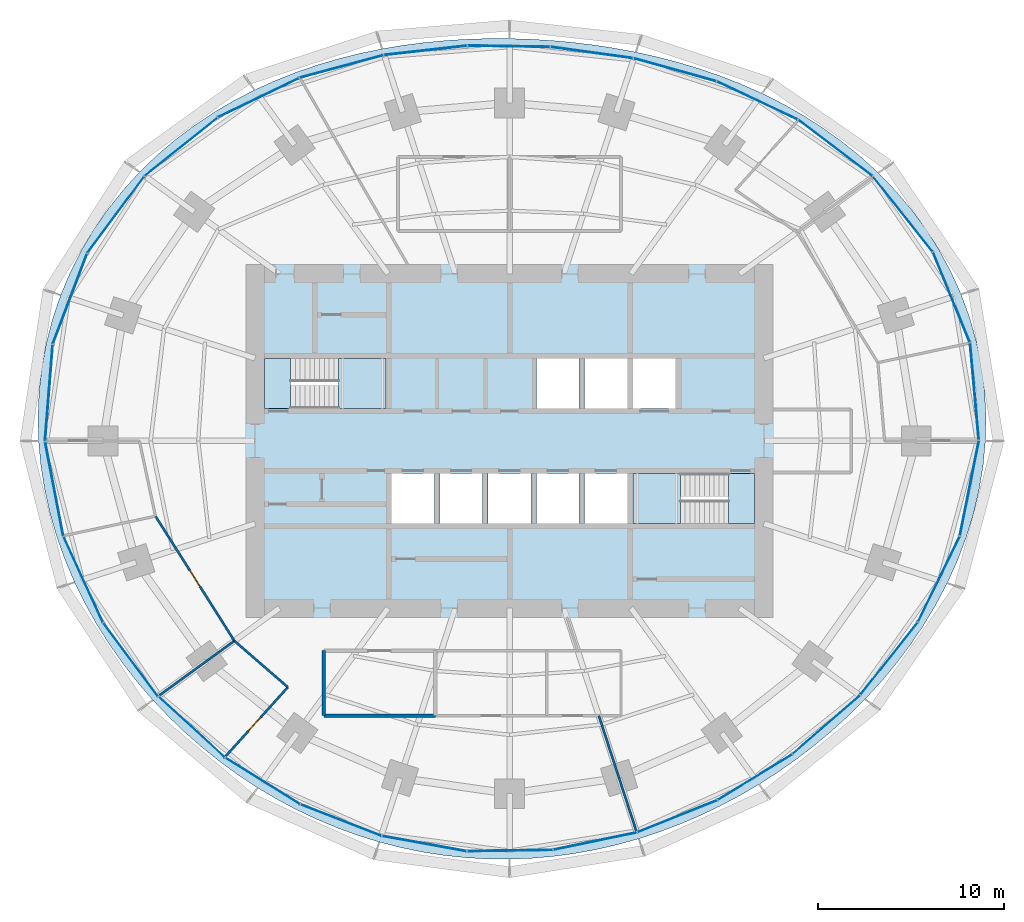
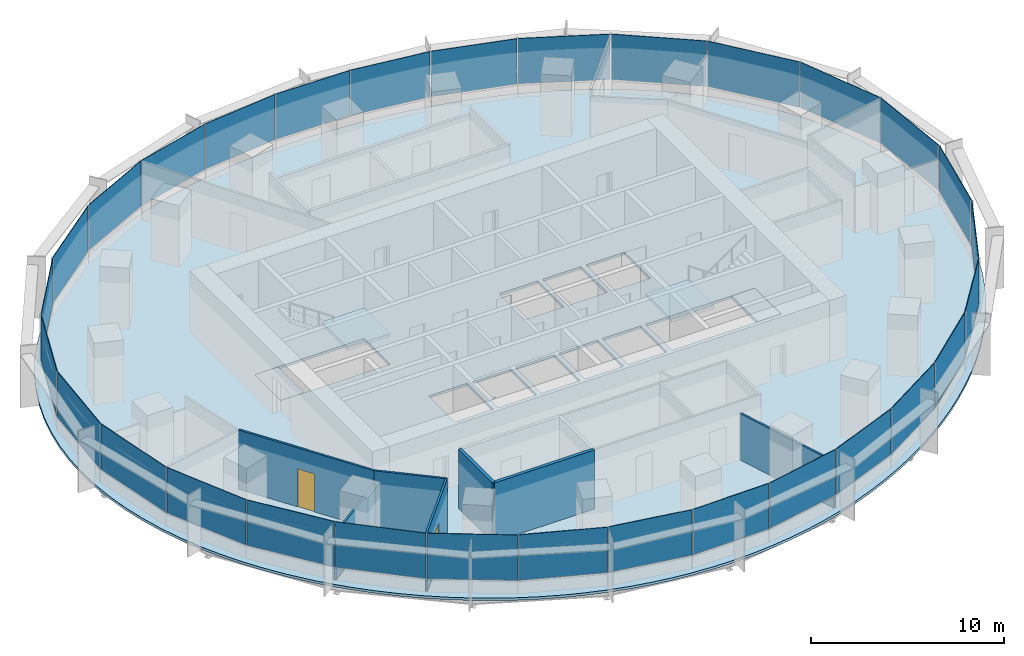
# One storey, part 9 of 14: 30 plates, 7 walls, 5 slabs, 2 doors, 2 openings, 8 elements without a shape of their own.
"""IFC4 building model written with IfcOpenShell, lengths in metres."""

from ifc_helpers import new_model, si_unit, direction, frame, frame_2d, origin, origin_2d, place, context, subcontext, project, spatial, polyline, rectangle, outline, extrude, material, layer, layer_set, type_object, element, fill, aggregate, save


model = new_model("IFC4")

# Units and contexts
model_context = context("Model", 3, precision=1e-05, world=origin(), true_north=direction((0.0, 1.0)))
body_context = subcontext(model_context, "Body", "Model", "MODEL_VIEW")
ifc_project = project(units=[si_unit("LENGTHUNIT", "METRE"), si_unit("AREAUNIT", "SQUARE_METRE"), si_unit("VOLUMEUNIT", "CUBIC_METRE"), si_unit("PLANEANGLEUNIT", "RADIAN"), si_unit("MASSUNIT", "GRAM", prefix="KILO")], contexts=[model_context])

# Site, building, storey
site_placement = place(None, origin())
site = spatial("IfcSite", under=ifc_project, at=site_placement, CompositionType="ELEMENT")
building_placement = place(site_placement, origin())
building = spatial("IfcBuilding", under=site, at=building_placement, Name="Marramba Exchange Tower", CompositionType="ELEMENT")
storey_placement = place(building_placement, frame((0.0, 0.0, 104.10009765625)))
storey = spatial("IfcBuildingStorey", under=building, at=storey_placement, Name="L24", CompositionType="ELEMENT", Elevation=104.10009765625)

# Slab
ifc_material_1 = material(Name="Concrete N40", Category="concrete")
ifc_layer_1 = layer(ifc_material_1, 0.159912109375)
ifc_layer_set_1 = layer_set([ifc_layer_1], Name="Composite floor slab 160")
slab_type_1 = type_object("IfcSlabType", Name="Composite floor slab 160", PredefinedType="FLOOR", material=ifc_layer_set_1)
slab_1_placement = place(storey_placement, frame((0.0, 0.0, -0.16015625)))
element("IfcSlab", 1, at=slab_1_placement, inside=storey, type_object=slab_type_1, Name="Floor slab L24", PredefinedType="FLOOR", context=body_context, shape_type="SweptSolid", body=[
    extrude(outline(polyline([(25.632080078125, 0.0), (25.66064453125, 1.3447265625), (25.59033203125, 2.689697265625), (25.420166015625, 4.026123046875), (25.15087890625, 5.345947265625), (24.7841796875, 6.640869140625), (24.322998046875, 7.903076171875), (23.771484375, 9.125), (23.135009765625, 10.30029296875), (22.419677734375, 11.42333984375), (21.632080078125, 12.4892578125), (20.779541015625, 13.494384765625), (19.869384765625, 14.43603515625), (18.9091796875, 15.3125), (17.90625, 16.122802734375), (16.86767578125, 16.86767578125), (15.800048828125, 17.5478515625), (14.70947265625, 18.164794921875), (13.6015625, 18.720947265625), (12.48095703125, 19.218994140625), (11.3515625, 19.66162109375), (10.217041015625, 20.05224609375), (9.079833984375, 20.393798828125), (7.94189453125, 20.689453125), (6.804443359375, 20.942138671875), (5.668212890625, 21.154296875), (4.533447265625, 21.328369140625), (3.39990234375, 21.46630859375), (2.26708984375, 21.5693359375), (1.134033203125, 21.63818359375), (0.0, 21.673095703125), (-1.135986328125, 21.673828125), (-2.2744140625, 21.6396484375), (-3.416259765625, 21.5693359375), (-4.5615234375, 21.460693359375), (-5.71044921875, 21.31201171875), (-6.8623046875, 21.1201171875), (-8.01611328125, 20.8828125), (-9.170166015625, 20.5966796875), (-10.322509765625, 20.2587890625), (-11.4697265625, 19.8662109375), (-12.60888671875, 19.415771484375), (-13.7353515625, 18.905029296875), (-14.8447265625, 18.331787109375), (-15.931640625, 17.69384765625), (-16.989990234375, 16.989990234375), (-18.013916015625, 16.2197265625), (-18.996826171875, 15.38330078125), (-19.931884765625, 14.4814453125), (-20.8125, 13.515869140625), (-21.632080078125, 12.4892578125), (-22.384033203125, 11.4052734375), (-23.0625, 10.26806640625), (-23.661865234375, 9.0830078125), (-24.177734375, 7.855712890625), (-24.605712890625, 6.593017578125), (-24.943603515625, 5.302001953125), (-25.18896484375, 3.989501953125), (-25.341064453125, 2.663330078125), (-25.400390625, 1.3310546875), (-25.367919921875, 0.0), (-25.246337890625, -1.322998046875), (-25.038818359375, -2.631591796875), (-24.748779296875, -3.919921875), (-24.381103515625, -5.182373046875), (-23.940185546875, -6.414794921875), (-23.431396484375, -7.61328125), (-22.859130859375, -8.77490234375), (-22.22900390625, -9.89697265625), (-21.545166015625, -10.977783203125), (-20.81201171875, -12.015869140625), (-20.033935546875, -13.010009765625), (-19.2138671875, -13.959716796875), (-18.35546875, -14.86376953125), (-17.461181640625, -15.72216796875), (-16.53369140625, -16.53369140625), (-15.5751953125, -17.298095703125), (-14.587646484375, -18.014404296875), (-13.5732421875, -18.681884765625), (-12.533203125, -19.299560546875), (-11.4697265625, -19.8662109375), (-10.384765625, -20.381103515625), (-9.27978515625, -20.8427734375), (-8.157470703125, -21.250732421875), (-7.019287109375, -21.603271484375), (-5.8681640625, -21.900146484375), (-4.7060546875, -22.14013671875), (-3.53564453125, -22.322998046875), (-2.359375, -22.448486328125), (-1.179931640625, -22.516357421875), (0.0, -22.52685546875), (1.17822265625, -22.480712890625), (2.35205078125, -22.3779296875), (3.519287109375, -22.22021484375), (4.677978515625, -22.0078125), (5.825927734375, -21.742431640625), (6.96142578125, -21.425048828125), (8.0830078125, -21.05712890625), (9.189453125, -20.639892578125), (10.279296875, -20.17431640625), (11.3515625, -19.66162109375), (12.4052734375, -19.1025390625), (13.439453125, -18.497802734375), (14.45263671875, -17.847412109375), (15.44384765625, -17.152099609375), (16.411376953125, -16.411376953125), (17.353515625, -15.625244140625), (18.267822265625, -14.79296875), (19.1513671875, -13.914306640625), (20.000732421875, -12.98876953125), (20.81201171875, -12.015869140625), (21.580810546875, -10.995849609375), (22.301513671875, -9.92919921875), (22.96875, -8.81689453125), (23.57666015625, -7.660400390625), (24.11865234375, -6.462646484375), (24.588623046875, -5.2265625), (24.980224609375, -3.95654296875), (25.2880859375, -2.657958984375), (25.5068359375, -1.336669921875), (25.632080078125, 0.0)]), holes=[polyline([(1.449951171875, 1.75), (3.75, 1.75), (3.75, 4.449951171875), (1.449951171875, 4.449951171875), (1.449951171875, 1.75)]), polyline([(4.050048828125, 1.75), (6.35009765625, 1.75), (6.35009765625, 4.449951171875), (4.050048828125, 4.449951171875), (4.050048828125, 1.75)]), polyline([(-6.35009765625, -4.449951171875), (-4.050048828125, -4.449951171875), (-4.050048828125, -1.75), (-6.35009765625, -1.75), (-6.35009765625, -4.449951171875)]), polyline([(-3.75, -4.449951171875), (-1.449951171875, -4.449951171875), (-1.449951171875, -1.75), (-3.75, -1.75), (-3.75, -4.449951171875)]), polyline([(-1.14990234375, -4.449951171875), (1.14990234375, -4.449951171875), (1.14990234375, -1.75), (-1.14990234375, -1.75), (-1.14990234375, -4.449951171875)]), polyline([(1.449951171875, -4.449951171875), (3.75, -4.449951171875), (3.75, -1.75), (1.449951171875, -1.75), (1.449951171875, -4.449951171875)]), polyline([(4.050048828125, -4.449951171875), (6.35009765625, -4.449951171875), (6.35009765625, -1.75), (4.050048828125, -1.75), (4.050048828125, -4.449951171875)]), polyline([(6.64990234375, 1.75), (8.949951171875, 1.75), (8.949951171875, 4.449951171875), (6.64990234375, 4.449951171875), (6.64990234375, 1.75)]), polyline([(-13.199951171875, 1.75), (-6.64990234375, 1.75), (-6.64990234375, 4.449951171875), (-13.199951171875, 4.449951171875), (-13.199951171875, 1.75)]), polyline([(6.64990234375, -4.449951171875), (13.199951171875, -4.449951171875), (13.199951171875, -1.75), (6.64990234375, -1.75), (6.64990234375, -4.449951171875)])]), origin(), (0.0, 0.0, 1.0), 0.16015625),
])

# Curtain wall, plates
ifc_material_2 = material(Name="Aluminium framing, bronze anodised", Category="aluminium")
curtain_wall_type = type_object("IfcCurtainWallType", Name="Office ribbon curtain wall", PredefinedType="USERDEFINED", material=ifc_material_2)
curtain_wall_1_placement = place(storey_placement, origin())
curtain_wall_1 = element("IfcCurtainWall", 2, at=curtain_wall_1_placement, inside=storey, type_object=curtain_wall_type, Name="Curtain wall CW4 L24 F01-F05", ObjectType="RIBBON CURTAIN WALL", PredefinedType="USERDEFINED")
ifc_material_3 = material(Name="Laminated double glazed unit 10.76 + 16 + 10.76, bronze tinted", Category="glass")
ifc_layer_2 = layer(ifc_material_3, 0.03759765625)
ifc_layer_set_2 = layer_set([ifc_layer_2], Name="Office ribbon curtain wall panel")
plate_type = type_object("IfcPlateType", Name="Office ribbon curtain wall panel", PredefinedType="CURTAIN_PANEL", material=ifc_layer_set_2)
plate_1_placement = place(storey_placement, frame((25.042724609375, 2.66650390625, 0.85986328125), z_axis=(0.0, 0.0, 1.0), x_axis=(-0.089412887889, 0.995994646311, 0.0)))
plate_1 = element("IfcPlate", 3, at=plate_1_placement, type_object=plate_type, Name="CW4 vision panel", PredefinedType="CURTAIN_PANEL", context=body_context, shape_type="SweptSolid", body=[
    extrude(rectangle(XDim=5.234375, YDim=0.03759765625, at=origin_2d()), origin(), (0.0, 0.0, 1.0), 2.8798828125),
])
plate_2_placement = place(storey_placement, frame((23.800537109375, 7.743408203125, 0.85986328125), z_axis=(0.0, 0.0, 1.0), x_axis=(-0.377821183171, 0.925878584668, 0.0)))
plate_2 = element("IfcPlate", 4, at=plate_2_placement, type_object=plate_type, Name="CW4 vision panel", PredefinedType="CURTAIN_PANEL", context=body_context, shape_type="SweptSolid", body=[
    extrude(rectangle(XDim=5.2158203125, YDim=0.03759765625, at=origin_2d()), origin(), (0.0, 0.0, 1.0), 2.8798828125),
])
plate_3_placement = place(storey_placement, frame((21.18212890625, 12.217529296875, 0.85986328125), z_axis=(0.0, 0.0, 1.0), x_axis=(-0.621312004611, 0.783563266703, 0.0)))
plate_3 = element("IfcPlate", 5, at=plate_3_placement, type_object=plate_type, Name="CW4 vision panel", PredefinedType="CURTAIN_PANEL", context=body_context, shape_type="SweptSolid", body=[
    extrude(rectangle(XDim=5.136962890625, YDim=0.03759765625, at=origin_2d()), origin(), (0.0, 0.0, 1.0), 2.8798828125),
])
plate_4_placement = place(storey_placement, frame((17.55224609375, 15.777099609375, 0.85986328125), z_axis=(0.0, 0.0, 1.0), x_axis=(-0.795971748366, 0.60533377223, 0.0)))
plate_4 = element("IfcPlate", 6, at=plate_4_placement, type_object=plate_type, Name="CW4 vision panel", PredefinedType="CURTAIN_PANEL", context=body_context, shape_type="SweptSolid", body=[
    extrude(rectangle(XDim=4.990966796875, YDim=0.03759765625, at=origin_2d()), origin(), (0.0, 0.0, 1.0), 2.8798828125),
])
plate_5_placement = place(storey_placement, frame((13.34423828125, 18.3359375, 0.85986328125), z_axis=(0.0, 0.0, 1.0), x_axis=(-0.904403137485, 0.426678995157, 0.0)))
plate_5 = element("IfcPlate", 7, at=plate_5_placement, type_object=plate_type, Name="CW4 vision panel", PredefinedType="CURTAIN_PANEL", context=body_context, shape_type="SweptSolid", body=[
    extrude(rectangle(XDim=4.793212890625, YDim=0.03759765625, at=origin_2d()), origin(), (0.0, 0.0, 1.0), 2.8798828125),
])
aggregate(curtain_wall_1, [plate_1, plate_2, plate_3, plate_4, plate_5])

curtain_wall_2_placement = place(storey_placement, origin())
curtain_wall_2 = element("IfcCurtainWall", 8, at=curtain_wall_2_placement, inside=storey, type_object=curtain_wall_type, Name="Curtain wall CW4 L24 F06-F10", ObjectType="RIBBON CURTAIN WALL", PredefinedType="USERDEFINED")
plate_6_placement = place(storey_placement, frame((8.907470703125, 19.991943359375, 0.85986328125), z_axis=(0.0, 0.0, 1.0), x_axis=(-0.963177845956, 0.268865090816, 0.0)))
plate_6 = element("IfcPlate", 9, at=plate_6_placement, type_object=plate_type, Name="CW4 vision panel", PredefinedType="CURTAIN_PANEL", context=body_context, shape_type="SweptSolid", body=[
    extrude(rectangle(XDim=4.591552734375, YDim=0.03759765625, at=origin_2d()), origin(), (0.0, 0.0, 1.0), 2.8798828125),
])
plate_7_placement = place(storey_placement, frame((4.43359375, 20.919189453125, 0.85986328125), z_axis=(0.0, 0.0, 1.0), x_axis=(-0.990738212841, 0.135785837319, 0.0)))
plate_7 = element("IfcPlate", 10, at=plate_7_placement, type_object=plate_type, Name="CW4 vision panel", PredefinedType="CURTAIN_PANEL", context=body_context, shape_type="SweptSolid", body=[
    extrude(rectangle(XDim=4.447509765625, YDim=0.03759765625, at=origin_2d()), origin(), (0.0, 0.0, 1.0), 2.8798828125),
])
plate_8_placement = place(storey_placement, frame((-0.03369140625, 21.2568359375, 0.85986328125), z_axis=(0.0, 0.0, 1.0), x_axis=(-0.999875869968, 0.01575578169, 0.0)))
plate_8 = element("IfcPlate", 11, at=plate_8_placement, type_object=plate_type, Name="CW4 vision panel", PredefinedType="CURTAIN_PANEL", context=body_context, shape_type="SweptSolid", body=[
    extrude(rectangle(XDim=4.408935546875, YDim=0.03759765625, at=origin_2d()), origin(), (0.0, 0.0, 1.0), 2.8798828125),
])
plate_9_placement = place(storey_placement, frame((-4.52587890625, 21.0361328125, 0.85986328125), z_axis=(0.0, 0.0, 1.0), x_axis=(-0.993823395532, -0.110973233233, 0.0)))
plate_9 = element("IfcPlate", 12, at=plate_9_placement, type_object=plate_type, Name="CW4 vision panel", PredefinedType="CURTAIN_PANEL", context=body_context, shape_type="SweptSolid", body=[
    extrude(rectangle(XDim=4.484375, YDim=0.03759765625, at=origin_2d()), origin(), (0.0, 0.0, 1.0), 2.8798828125),
])
plate_10_placement = place(storey_placement, frame((-9.053466796875, 20.16748046875, 0.85986328125), z_axis=(0.0, 0.0, 1.0), x_axis=(-0.965522047176, -0.260321294588, 0.0)))
plate_10 = element("IfcPlate", 13, at=plate_10_placement, type_object=plate_type, Name="CW4 vision panel", PredefinedType="CURTAIN_PANEL", context=body_context, shape_type="SweptSolid", body=[
    extrude(rectangle(XDim=4.642578125, YDim=0.03759765625, at=origin_2d()), origin(), (0.0, 0.0, 1.0), 2.8798828125),
])
aggregate(curtain_wall_2, [plate_6, plate_7, plate_8, plate_9, plate_10])

curtain_wall_3_placement = place(storey_placement, origin())
curtain_wall_3 = element("IfcCurtainWall", 14, at=curtain_wall_3_placement, inside=storey, type_object=curtain_wall_type, Name="Curtain wall CW4 L24 F11-F15", ObjectType="RIBBON CURTAIN WALL", PredefinedType="USERDEFINED")
plate_11_placement = place(storey_placement, frame((-13.52294921875, 18.4853515625, 0.85986328125), z_axis=(0.0, 0.0, 1.0), x_axis=(-0.900223739881, -0.435427626771, 0.0)))
plate_11 = element("IfcPlate", 15, at=plate_11_placement, type_object=plate_type, Name="CW4 vision panel", PredefinedType="CURTAIN_PANEL", context=body_context, shape_type="SweptSolid", body=[
    extrude(rectangle(XDim=4.83056640625, YDim=0.03759765625, at=origin_2d()), origin(), (0.0, 0.0, 1.0), 2.8798828125),
])
plate_12_placement = place(storey_placement, frame((-17.696533203125, 15.8359375, 0.85986328125), z_axis=(0.0, 0.0, 1.0), x_axis=(-0.78117833008, -0.624307950145, 0.0)))
plate_12 = element("IfcPlate", 16, at=plate_12_placement, type_object=plate_type, Name="CW4 vision panel", PredefinedType="CURTAIN_PANEL", context=body_context, shape_type="SweptSolid", body=[
    extrude(rectangle(XDim=4.998291015625, YDim=0.03759765625, at=origin_2d()), origin(), (0.0, 0.0, 1.0), 2.8798828125),
])
plate_13_placement = place(storey_placement, frame((-21.213623046875, 12.1767578125, 0.85986328125), z_axis=(0.0, 0.0, 1.0), x_axis=(-0.597703997504, -0.80171686484, 0.0)))
plate_13 = element("IfcPlate", 17, at=plate_13_placement, type_object=plate_type, Name="CW4 vision panel", PredefinedType="CURTAIN_PANEL", context=body_context, shape_type="SweptSolid", body=[
    extrude(rectangle(XDim=5.116455078125, YDim=0.03759765625, at=origin_2d()), origin(), (0.0, 0.0, 1.0), 2.8798828125),
])
plate_14_placement = place(storey_placement, frame((-23.6826171875, 7.6494140625, 0.85986328125), z_axis=(0.0, 0.0, 1.0), x_axis=(-0.354844468484, -0.934925346317, 0.0)))
plate_14 = element("IfcPlate", 18, at=plate_14_placement, type_object=plate_type, Name="CW4 vision panel", PredefinedType="CURTAIN_PANEL", context=body_context, shape_type="SweptSolid", body=[
    extrude(rectangle(XDim=5.177490234375, YDim=0.03759765625, at=origin_2d()), origin(), (0.0, 0.0, 1.0), 2.8798828125),
])
plate_15_placement = place(storey_placement, frame((-24.81201171875, 2.584716796875, 0.85986328125), z_axis=(0.0, 0.0, 1.0), x_axis=(-0.079459696383, -0.996838079455, 0.0)))
plate_15 = element("IfcPlate", 19, at=plate_15_placement, type_object=plate_type, Name="CW4 vision panel", PredefinedType="CURTAIN_PANEL", context=body_context, shape_type="SweptSolid", body=[
    extrude(rectangle(XDim=5.185791015625, YDim=0.03759765625, at=origin_2d()), origin(), (0.0, 0.0, 1.0), 2.8798828125),
])
aggregate(curtain_wall_3, [plate_11, plate_12, plate_13, plate_14, plate_15])

curtain_wall_4_placement = place(storey_placement, origin())
curtain_wall_4 = element("IfcCurtainWall", 20, at=curtain_wall_4_placement, inside=storey, type_object=curtain_wall_type, Name="Curtain wall CW4 L24 F16-F20", ObjectType="RIBBON CURTAIN WALL", PredefinedType="USERDEFINED")
plate_16_placement = place(storey_placement, frame((-24.522705078125, -2.584228515625, 0.85986328125), z_axis=(0.0, 0.0, 1.0), x_axis=(0.18822721487, -0.982125509078, 0.0)))
plate_16 = element("IfcPlate", 21, at=plate_16_placement, type_object=plate_type, Name="CW4 vision panel", PredefinedType="CURTAIN_PANEL", context=body_context, shape_type="SweptSolid", body=[
    extrude(rectangle(XDim=5.142578125, YDim=0.03759765625, at=origin_2d()), origin(), (0.0, 0.0, 1.0), 2.8798828125),
])
plate_17_placement = place(storey_placement, frame((-22.96142578125, -7.45947265625, 0.85986328125), z_axis=(0.0, 0.0, 1.0), x_axis=(0.416737848929, -0.909026713177, 0.0)))
plate_17 = element("IfcPlate", 22, at=plate_17_placement, type_object=plate_type, Name="CW4 vision panel", PredefinedType="CURTAIN_PANEL", context=body_context, shape_type="SweptSolid", body=[
    extrude(rectangle(XDim=5.0498046875, YDim=0.03759765625, at=origin_2d()), origin(), (0.0, 0.0, 1.0), 2.8798828125),
])
plate_18_placement = place(storey_placement, frame((-20.402099609375, -11.7783203125, 0.85986328125), z_axis=(0.0, 0.0, 1.0), x_axis=(0.597304697033, -0.802014400683, 0.0)))
plate_18 = element("IfcPlate", 23, at=plate_18_placement, type_object=plate_type, Name="CW4 vision panel", PredefinedType="CURTAIN_PANEL", context=body_context, shape_type="SweptSolid", body=[
    extrude(rectangle(XDim=4.926513671875, YDim=0.03759765625, at=origin_2d()), origin(), (0.0, 0.0, 1.0), 2.8798828125),
])
plate_19_placement = place(storey_placement, frame((-17.11376953125, -15.416259765625, 0.85986328125), z_axis=(0.0, 0.0, 1.0), x_axis=(0.737821886077, -0.674995455115, 0.0)))
plate_19 = element("IfcPlate", 24, at=plate_19_placement, type_object=plate_type, Name="CW4 vision panel", PredefinedType="CURTAIN_PANEL", context=body_context, shape_type="SweptSolid", body=[
    extrude(rectangle(XDim=4.80517578125, YDim=0.03759765625, at=origin_2d()), origin(), (0.0, 0.0, 1.0), 2.8798828125),
])
plate_20_placement = place(storey_placement, frame((-13.29248046875, -18.31640625, 0.85986328125), z_axis=(0.0, 0.0, 1.0), x_axis=(0.84835459748, -0.52942844364, 0.0)))
plate_20 = element("IfcPlate", 25, at=plate_20_placement, type_object=plate_type, Name="CW4 vision panel", PredefinedType="CURTAIN_PANEL", context=body_context, shape_type="SweptSolid", body=[
    extrude(rectangle(XDim=4.70947265625, YDim=0.03759765625, at=origin_2d()), origin(), (0.0, 0.0, 1.0), 2.8798828125),
])
aggregate(curtain_wall_4, [plate_16, plate_17, plate_18, plate_19, plate_20])

curtain_wall_5_placement = place(storey_placement, origin())
curtain_wall_5 = element("IfcCurtainWall", 26, at=curtain_wall_5_placement, inside=storey, type_object=curtain_wall_type, Name="Curtain wall CW4 L24 F21-F25", ObjectType="RIBBON CURTAIN WALL", PredefinedType="USERDEFINED")
plate_21_placement = place(storey_placement, frame((-9.074951171875, -20.427734375, 0.85986328125), z_axis=(0.0, 0.0, 1.0), x_axis=(0.931818390344, -0.36292490603, 0.0)))
plate_21 = element("IfcPlate", 27, at=plate_21_placement, type_object=plate_type, Name="CW4 vision panel", PredefinedType="CURTAIN_PANEL", context=body_context, shape_type="SweptSolid", body=[
    extrude(rectangle(XDim=4.644287109375, YDim=0.03759765625, at=origin_2d()), origin(), (0.0, 0.0, 1.0), 2.8798828125),
])
plate_22_placement = place(storey_placement, frame((-4.58740234375, -21.690673828125, 0.85986328125), z_axis=(0.0, 0.0, 1.0), x_axis=(0.984031865834, -0.177992379115, 0.0)))
plate_22 = element("IfcPlate", 28, at=plate_22_placement, type_object=plate_type, Name="CW4 vision panel", PredefinedType="CURTAIN_PANEL", context=body_context, shape_type="SweptSolid", body=[
    extrude(rectangle(XDim=4.602783203125, YDim=0.03759765625, at=origin_2d()), origin(), (0.0, 0.0, 1.0), 2.8798828125),
])
plate_23_placement = place(storey_placement, frame((0.0263671875, -22.064697265625, 0.85986328125), z_axis=(0.0, 0.0, 1.0), x_axis=(0.999884797709, 0.015178646521, 0.0)))
plate_23 = element("IfcPlate", 29, at=plate_23_placement, type_object=plate_type, Name="CW4 vision panel", PredefinedType="CURTAIN_PANEL", context=body_context, shape_type="SweptSolid", body=[
    extrude(rectangle(XDim=4.578857421875, YDim=0.03759765625, at=origin_2d()), origin(), (0.0, 0.0, 1.0), 2.8798828125),
])
plate_24_placement = place(storey_placement, frame((4.61376953125, -21.554931640625, 0.85986328125), z_axis=(0.0, 0.0, 1.0), x_axis=(0.979310199794, 0.202364850159, 0.0)))
plate_24 = element("IfcPlate", 30, at=plate_24_placement, type_object=plate_type, Name="CW4 vision panel", PredefinedType="CURTAIN_PANEL", context=body_context, shape_type="SweptSolid", body=[
    extrude(rectangle(XDim=4.57373046875, YDim=0.03759765625, at=origin_2d()), origin(), (0.0, 0.0, 1.0), 2.8798828125),
])
plate_25_placement = place(storey_placement, frame((9.042724609375, -20.214111328125, 0.85986328125), z_axis=(0.0, 0.0, 1.0), x_axis=(0.928148916059, 0.372209067082, 0.0)))
plate_25 = element("IfcPlate", 31, at=plate_25_placement, type_object=plate_type, Name="CW4 vision panel", PredefinedType="CURTAIN_PANEL", context=body_context, shape_type="SweptSolid", body=[
    extrude(rectangle(XDim=4.59814453125, YDim=0.03759765625, at=origin_2d()), origin(), (0.0, 0.0, 1.0), 2.8798828125),
])
aggregate(curtain_wall_5, [plate_21, plate_22, plate_23, plate_24, plate_25])

curtain_wall_6_placement = place(storey_placement, origin())
curtain_wall_6 = element("IfcCurtainWall", 32, at=curtain_wall_6_placement, inside=storey, type_object=curtain_wall_type, Name="Curtain wall CW4 L24 F26-F30", ObjectType="RIBBON CURTAIN WALL", PredefinedType="USERDEFINED")
plate_26_placement = place(storey_placement, frame((13.21875, -18.109619140625, 0.85986328125), z_axis=(0.0, 0.0, 1.0), x_axis=(0.853109114492, 0.521732535664, 0.0)))
plate_26 = element("IfcPlate", 33, at=plate_26_placement, type_object=plate_type, Name="CW4 vision panel", PredefinedType="CURTAIN_PANEL", context=body_context, shape_type="SweptSolid", body=[
    extrude(rectangle(XDim=4.66748046875, YDim=0.03759765625, at=origin_2d()), origin(), (0.0, 0.0, 1.0), 2.8798828125),
])
plate_27_placement = place(storey_placement, frame((17.0615234375, -15.280517578125, 0.85986328125), z_axis=(0.0, 0.0, 1.0), x_axis=(0.754385506384, 0.656431647438, 0.0)))
plate_27 = element("IfcPlate", 34, at=plate_27_placement, type_object=plate_type, Name="CW4 vision panel", PredefinedType="CURTAIN_PANEL", context=body_context, shape_type="SweptSolid", body=[
    extrude(rectangle(XDim=4.789794921875, YDim=0.03759765625, at=origin_2d()), origin(), (0.0, 0.0, 1.0), 2.8798828125),
])
plate_28_placement = place(storey_placement, frame((20.443603515625, -11.724365234375, 0.85986328125), z_axis=(0.0, 0.0, 1.0), x_axis=(0.621807472329, 0.783170139469, 0.0)))
plate_28 = element("IfcPlate", 35, at=plate_28_placement, type_object=plate_type, Name="CW4 vision panel", PredefinedType="CURTAIN_PANEL", context=body_context, shape_type="SweptSolid", body=[
    extrude(rectangle(XDim=4.947265625, YDim=0.03759765625, at=origin_2d()), origin(), (0.0, 0.0, 1.0), 2.8798828125),
])
plate_29_placement = place(storey_placement, frame((23.127197265625, -7.443359375, 0.85986328125), z_axis=(0.0, 0.0, 1.0), x_axis=(0.439086342308, 0.89844486976, 0.0)))
plate_29 = element("IfcPlate", 36, at=plate_29_placement, type_object=plate_type, Name="CW4 vision panel", PredefinedType="CURTAIN_PANEL", context=body_context, shape_type="SweptSolid", body=[
    extrude(rectangle(XDim=5.096923828125, YDim=0.03759765625, at=origin_2d()), origin(), (0.0, 0.0, 1.0), 2.8798828125),
])
plate_30_placement = place(storey_placement, frame((24.77001953125, -2.54736328125, 0.85986328125), z_axis=(0.0, 0.0, 1.0), x_axis=(0.197048511267, 0.980393739376, 0.0)))
plate_30 = element("IfcPlate", 37, at=plate_30_placement, type_object=plate_type, Name="CW4 vision panel", PredefinedType="CURTAIN_PANEL", context=body_context, shape_type="SweptSolid", body=[
    extrude(rectangle(XDim=5.19677734375, YDim=0.03759765625, at=origin_2d()), origin(), (0.0, 0.0, 1.0), 2.8798828125),
])
aggregate(curtain_wall_6, [plate_26, plate_27, plate_28, plate_29, plate_30])

# Stair, slabs
ifc_material_4 = material(Name="Concrete N40 (40 MPa)", Category="concrete")
stair_type_1 = type_object("IfcStairType", Name="Exit stair ST1 3900 x 1250", PredefinedType="HALF_TURN_STAIR", material=ifc_material_4)
stair_1_placement = place(storey_placement, origin())
stair_1 = element("IfcStair", 38, at=stair_1_placement, inside=storey, type_object=stair_type_1, Name="Exit stair ST1 L24", PredefinedType="HALF_TURN_STAIR")
ifc_layer_3 = layer(ifc_material_4, 0.199951171875)
ifc_layer_set_3 = layer_set([ifc_layer_3], Name="Stair landing 200")
slab_type_2 = type_object("IfcSlabType", Name="Stair landing 200", PredefinedType="LANDING", material=ifc_layer_set_3)
slab_2_placement = place(storey_placement, frame((0.0, 0.0, -0.2001953125)))
slab_2 = element("IfcSlab", 39, at=slab_2_placement, type_object=slab_type_2, Name="ST1 landing 1", PredefinedType="LANDING", context=body_context, shape_type="SweptSolid", body=[
    extrude(outline(polyline([(-13.199951171875, 1.75), (-11.800048828125, 1.75), (-11.800048828125, 4.449951171875), (-13.199951171875, 4.449951171875), (-13.199951171875, 1.75)])), origin(), (0.0, 0.0, 1.0), 0.2001953125),
])
slab_3_placement = place(storey_placement, frame((0.0, 0.0, 1.75)))
slab_3 = element("IfcSlab", 40, at=slab_3_placement, type_object=slab_type_2, Name="ST1 landing 2", PredefinedType="LANDING", context=body_context, shape_type="SweptSolid", body=[
    extrude(outline(polyline([(-9.199951171875, 1.75), (-6.64990234375, 1.75), (-6.64990234375, 4.449951171875), (-9.199951171875, 4.449951171875), (-9.199951171875, 1.75)])), origin(), (0.0, 0.0, 1.0), 0.199951171875),
])
aggregate(stair_1, [slab_2, slab_3])

stair_type_2 = type_object("IfcStairType", Name="Exit stair ST2 3900 x 1250", PredefinedType="HALF_TURN_STAIR", material=ifc_material_4)
stair_2_placement = place(storey_placement, origin())
stair_2 = element("IfcStair", 41, at=stair_2_placement, inside=storey, type_object=stair_type_2, Name="Exit stair ST2 L24", PredefinedType="HALF_TURN_STAIR")
slab_4_placement = place(storey_placement, frame((0.0, 0.0, -0.2001953125)))
slab_4 = element("IfcSlab", 42, at=slab_4_placement, type_object=slab_type_2, Name="ST2 landing 1", PredefinedType="LANDING", context=body_context, shape_type="SweptSolid", body=[
    extrude(outline(polyline([(11.800048828125, -4.449951171875), (13.199951171875, -4.449951171875), (13.199951171875, -1.75), (11.800048828125, -1.75), (11.800048828125, -4.449951171875)])), origin(), (0.0, 0.0, 1.0), 0.2001953125),
])
slab_5_placement = place(storey_placement, frame((0.0, 0.0, 1.75)))
slab_5 = element("IfcSlab", 43, at=slab_5_placement, type_object=slab_type_2, Name="ST2 landing 2", PredefinedType="LANDING", context=body_context, shape_type="SweptSolid", body=[
    extrude(outline(polyline([(6.64990234375, -4.449951171875), (9.199951171875, -4.449951171875), (9.199951171875, -1.75), (6.64990234375, -1.75), (6.64990234375, -4.449951171875)])), origin(), (0.0, 0.0, 1.0), 0.199951171875),
])
aggregate(stair_2, [slab_4, slab_5])

# Walls
ifc_material_5 = material(Name="Core-filled concrete blockwork, rendered", Category="masonry")
ifc_layer_4 = layer(ifc_material_5, 0.18994140625)
ifc_layer_set_4 = layer_set([ifc_layer_4], Name="Equipment room wall 190")
wall_type_1 = type_object("IfcWallType", Name="Equipment room wall 190", PredefinedType="SOLIDWALL", material=ifc_layer_set_4)
wall_1_placement = place(storey_placement, frame((-10.0, -11.300048828125, 0.0), z_axis=(0.0, 0.0, 1.0), x_axis=(0.0, -1.0, 0.0)))
element("IfcWall", 44, at=wall_1_placement, inside=storey, type_object=wall_type_1, Name="Equipment room wall L24 07", PredefinedType="SOLIDWALL", context=body_context, shape_type="SweptSolid", body=[
    extrude(rectangle(XDim=3.5, YDim=0.18994140625, at=frame_2d((1.75, 0.0))), origin(), (0.0, 0.0, 1.0), 3.739990234375),
])
wall_2_placement = place(storey_placement, frame((-10.0, -14.800048828125, 0.0), z_axis=(0.0, 0.0, 1.0), x_axis=(1.0, 0.0, 0.0)))
element("IfcWall", 45, at=wall_2_placement, inside=storey, type_object=wall_type_1, Name="Equipment room wall L24 09", PredefinedType="SOLIDWALL", context=body_context, shape_type="SweptSolid", body=[
    extrude(rectangle(XDim=6.0, YDim=0.18994140625, at=frame_2d((3.0, 0.0))), origin(), (0.0, 0.0, 1.0), 3.739990234375),
])

# Wall, opening, door
ifc_material_6 = material(Name="Plasterboard on steel studs", Category="steel")
ifc_layer_5 = layer(ifc_material_6, 0.1201171875)
ifc_layer_set_5 = layer_set([ifc_layer_5], Name="Partition 120")
wall_type_2 = type_object("IfcWallType", Name="Partition 120", PredefinedType="PARTITIONING", material=ifc_layer_set_5)
wall_3_placement = place(storey_placement, frame((-14.82080078125, -10.76806640625, 0.0), z_axis=(0.0, 0.0, 1.0), x_axis=(-0.534710673456, 0.845035203818, 0.0)))
wall_3 = element("IfcWall", 46, at=wall_3_placement, inside=storey, type_object=wall_type_2, Name="Partition L24 03", PredefinedType="PARTITIONING", context=body_context, shape_type="SweptSolid", body=[
    extrude(rectangle(XDim=7.946044921875, YDim=0.1201171875, at=frame_2d((3.97314453125, 0.0))), origin(), (0.0, 0.0, 1.0), 3.739990234375),
])
opening_1_placement = place(wall_3_placement, frame((3.472900390625, 0.0, 0.0)))
opening_1 = element("IfcOpeningElement", 47, at=opening_1_placement, cuts=wall_3, Name="Opening D9", PredefinedType="OPENING", context=body_context, shape_type="SweptSolid", body=[
    extrude(rectangle(XDim=1.0, YDim=2.39990234375, at=frame_2d((0.5, 1.199951171875))), frame((0.0, 0.070068359375, 0.0), z_axis=(0.0, -1.0, 0.0), x_axis=(1.0, 0.0, 0.0)), (0.0, 0.0, 1.0), 0.14013671875),
])
ifc_material_7 = material(Name="Timber door", Category="wood")
door_type = type_object("IfcDoorType", Name="Room door 1000x2400", OperationType="SINGLE_SWING_LEFT", PredefinedType="DOOR", material=ifc_material_7)
door_1_placement = place(opening_1_placement, origin())
door_1 = element("IfcDoor", 48, at=door_1_placement, inside=storey, type_object=door_type, Name="D9 Compliance Office 5 L24", OperationType="SINGLE_SWING_LEFT", OverallHeight=2.39990234375, OverallWidth=1.0, PredefinedType="DOOR", context=body_context, shape_type="SweptSolid", body=[
    extrude(rectangle(XDim=1.0, YDim=2.39990234375, at=frame_2d((0.5, 1.199951171875))), frame((0.0, 0.02490234375, 0.0), z_axis=(0.0, -1.0, 0.0), x_axis=(1.0, 0.0, 0.0)), (0.0, 0.0, 1.0), 0.050048828125),
])
fill(opening_1, door_1)

# Walls
wall_4_placement = place(storey_placement, frame((-14.82080078125, -10.76806640625, 0.0), z_axis=(0.0, 0.0, 1.0), x_axis=(-0.809042143657, -0.587750635718, 0.0)))
element("IfcWall", 49, at=wall_4_placement, inside=storey, type_object=wall_type_2, Name="Partition L24 04", PredefinedType="PARTITIONING", context=body_context, shape_type="SweptSolid", body=[
    extrude(rectangle(XDim=5.0, YDim=0.1201171875, at=frame_2d((2.5, 0.0))), origin(), (0.0, 0.0, 1.0), 2.93994140625),
])
wall_5_placement = place(storey_placement, frame((-11.94189453125, -13.2626953125, 0.0), z_axis=(0.0, 0.0, 1.0), x_axis=(-0.755744060509, 0.654867097208, 0.0)))
element("IfcWall", 50, at=wall_5_placement, inside=storey, type_object=wall_type_2, Name="Partition L24 05", PredefinedType="PARTITIONING", context=body_context, shape_type="SweptSolid", body=[
    extrude(rectangle(XDim=3.809326171875, YDim=0.1201171875, at=frame_2d((1.90478515625, 0.0))), origin(), (0.0, 0.0, 1.0), 3.739990234375),
])

# Wall, opening, door
wall_6_placement = place(storey_placement, frame((-15.28759765625, -16.978515625, 0.0), z_axis=(0.0, 0.0, 1.0), x_axis=(0.669126573551, 0.743148456614, 0.0)))
wall_6 = element("IfcWall", 51, at=wall_6_placement, inside=storey, type_object=wall_type_2, Name="Partition L24 06", PredefinedType="PARTITIONING", context=body_context, shape_type="SweptSolid", body=[
    extrude(rectangle(XDim=5.0, YDim=0.1201171875, at=frame_2d((2.5, 0.0))), origin(), (0.0, 0.0, 1.0), 3.739990234375),
])
opening_2_placement = place(wall_6_placement, frame((1.822021484375, 0.0, 0.0)))
opening_2 = element("IfcOpeningElement", 52, at=opening_2_placement, cuts=wall_6, Name="Opening D9", PredefinedType="OPENING", context=body_context, shape_type="SweptSolid", body=[
    extrude(rectangle(XDim=1.0, YDim=2.39990234375, at=frame_2d((0.5, 1.199951171875))), frame((0.0, 0.070068359375, 0.0), z_axis=(0.0, -1.0, 0.0), x_axis=(1.0, 0.0, 0.0)), (0.0, 0.0, 1.0), 0.14013671875),
])
door_2_placement = place(opening_2_placement, origin())
door_2 = element("IfcDoor", 53, at=door_2_placement, inside=storey, type_object=door_type, Name="D9 Compliance Office 6 L24", OperationType="SINGLE_SWING_LEFT", OverallHeight=2.39990234375, OverallWidth=1.0, PredefinedType="DOOR", context=body_context, shape_type="SweptSolid", body=[
    extrude(rectangle(XDim=1.0, YDim=2.39990234375, at=frame_2d((0.5, 1.199951171875))), frame((0.0, 0.02490234375, 0.0), z_axis=(0.0, -1.0, 0.0), x_axis=(1.0, 0.0, 0.0)), (0.0, 0.0, 1.0), 0.050048828125),
])
fill(opening_2, door_2)

# Wall
wall_7_placement = place(storey_placement, frame((6.82861328125, -21.01611328125, 0.0), z_axis=(0.0, 0.0, 1.0), x_axis=(-0.309024414348, 0.951054105368, 0.0)))
element("IfcWall", 54, at=wall_7_placement, inside=storey, type_object=wall_type_2, Name="Partition L24 15", PredefinedType="PARTITIONING", context=body_context, shape_type="SweptSolid", body=[
    extrude(rectangle(XDim=6.535888671875, YDim=0.1201171875, at=frame_2d((3.26806640625, 0.0))), origin(), (0.0, 0.0, 1.0), 2.93994140625),
])

save(model, "model.ifc")
